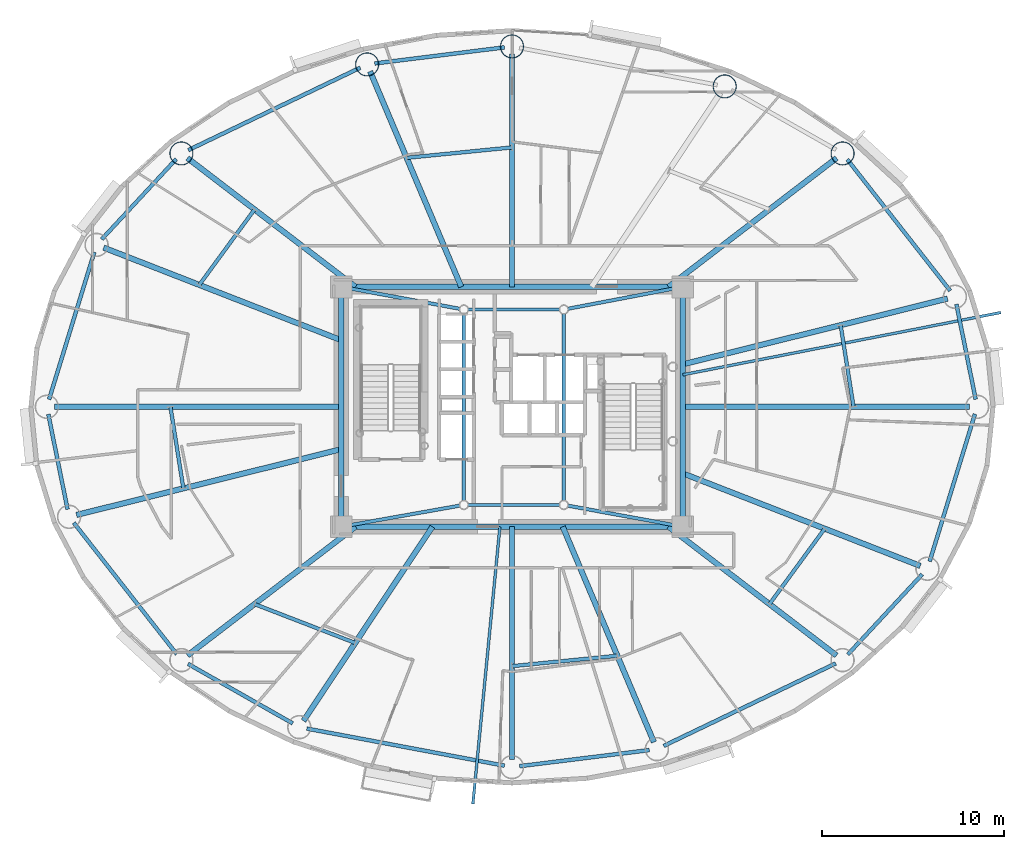
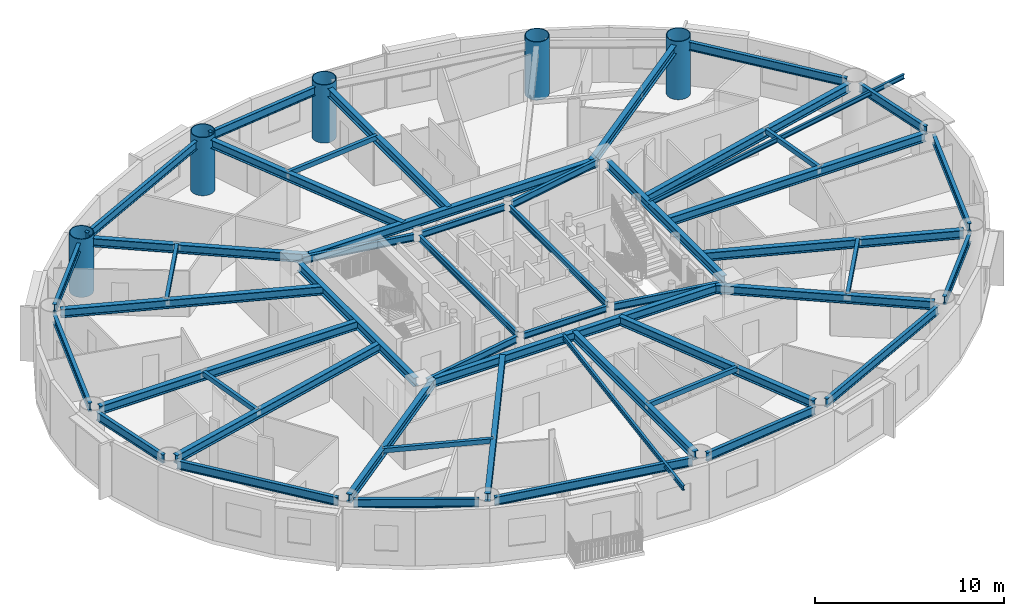
# One storey, part 3 of 19: 50 beams, 5 columns.
"""IFC4 building model written with IfcOpenShell, lengths in metres."""

from ifc_helpers import new_model, si_unit, direction, frame, origin, origin_2d, place, context, subcontext, project, spatial, hollow_rectangle, hollow_circle, i_section, extrude, material, material_profile, profile_set, type_object, element, save


model = new_model("IFC4")

# Units and contexts
model_context = context("Model", 3, precision=1e-05, world=origin(), true_north=direction((0.0, 1.0)))
body_context = subcontext(model_context, "Body", "Model", "MODEL_VIEW")
ifc_project = project(units=[si_unit("LENGTHUNIT", "METRE"), si_unit("AREAUNIT", "SQUARE_METRE"), si_unit("VOLUMEUNIT", "CUBIC_METRE"), si_unit("PLANEANGLEUNIT", "RADIAN"), si_unit("MASSUNIT", "GRAM", prefix="KILO")], contexts=[model_context])

# Site, building, storey
site_placement = place(None, origin())
site = spatial("IfcSite", under=ifc_project, at=site_placement, CompositionType="ELEMENT")
building_placement = place(site_placement, origin())
building = spatial("IfcBuilding", under=site, at=building_placement, Name="Linh Dai School and Residence Tower", CompositionType="ELEMENT")
storey_placement = place(building_placement, frame((0.0, 0.0, 174.89990234375)))
storey = spatial("IfcBuildingStorey", under=building, at=storey_placement, Name="L42", CompositionType="ELEMENT", Elevation=174.89990234375)

# Columns
ifc_material = material(Name="Structural Steel S355JR", Category="steel")
ifc_material_profile_1 = material_profile(ifc_material, hollow_circle(Radius=0.64990234375, WallThickness=0.0400390625, at=origin_2d()), Name="CHS 1300x40")
ifc_profile_set_1 = profile_set([ifc_material_profile_1], Name="Structural Steel S355JR")
column_type = type_object("IfcColumnType", Name="COL-MC4", PredefinedType="COLUMN", material=ifc_profile_set_1)
for number, where, z_axis, x_axis, name in (
    (1, (54.1923828125, 40.941650390625, 0.0), (0.0, 0.0, 1.0), (1.0, 0.0, 0.0), "L42 Perimeter CFT Mega-Column MC03"),
    (2, (47.70556640625, 44.630859375, 0.0), (0.0, 0.0, 1.0), (1.0, 0.0, 0.0), "L42 Perimeter CFT Mega-Column MC04"),
    (3, (36.0, 46.830078125, 0.0), (0.0, 0.0, 1.0), (1.0, 0.0, 0.0), "L42 Perimeter CFT Mega-Column MC05"),
    (4, (28.026611328125, 45.84130859375, 0.0), (0.0, 0.0, 1.0), (1.0, 0.0, 0.0), "L42 Perimeter CFT Mega-Column MC06"),
    (5, (17.8076171875, 40.941650390625, 0.0), (0.0, 0.0, 1.0), (1.0, 0.0, 0.0), "L42 Perimeter CFT Mega-Column MC07"),
):
    element("IfcColumn", number, at=place(storey_placement, frame(where, z_axis=z_axis, x_axis=x_axis)), inside=storey, type_object=column_type, Name=name, PredefinedType="COLUMN", context=body_context, shape_type="SweptSolid", body=[
        extrude(hollow_circle(Radius=0.64990234375, WallThickness=0.0400390625, at=origin_2d()), origin(), (0.0, 0.0, 1.0), 3.75),
    ])

# Beams
ifc_material_profile_2 = material_profile(ifc_material, i_section(OverallWidth=0.14990234375, OverallDepth=0.300048828125, WebThickness=0.007080078125, FlangeThickness=0.0107421875, at=origin_2d()), Name="IPE 300")
ifc_profile_set_2 = profile_set([ifc_material_profile_2], Name="Structural Steel S355JR")
beam_type_1 = type_object("IfcBeamType", Name="BM-BALC-CANT", PredefinedType="BEAM", material=ifc_profile_set_2)
beam_1_placement = place(storey_placement, frame((45.39990234375, 28.76220703125, 3.35009765625), z_axis=(0.981362291926, 0.192166729654, 0.0), x_axis=(-0.192166729654, 0.981362291926, 0.0)))
element("IfcBeam", 6, at=beam_1_placement, inside=storey, type_object=beam_type_1, Name="L43 Balcony Continuous Cantilever Beam 02", PredefinedType="BEAM", context=body_context, shape_type="SweptSolid", body=[
    extrude(i_section(OverallWidth=0.14990234375, OverallDepth=0.300048828125, WebThickness=0.007080078125, FlangeThickness=0.0107421875, at=origin_2d()), origin(), (0.0, 0.0, 1.0), 17.8271484375),
])
beam_2_placement = place(storey_placement, frame((35.335205078125, 20.39990234375, 3.35009765625), z_axis=(-0.096990319244, -0.995285324906, 0.0), x_axis=(0.995285324906, -0.096990319244, 0.0)))
element("IfcBeam", 7, at=beam_2_placement, inside=storey, type_object=beam_type_1, Name="L43 Balcony Continuous Cantilever Beam 30", PredefinedType="BEAM", context=body_context, shape_type="SweptSolid", body=[
    extrude(i_section(OverallWidth=0.14990234375, OverallDepth=0.300048828125, WebThickness=0.007080078125, FlangeThickness=0.0107421875, at=origin_2d()), origin(), (0.0, 0.0, 1.0), 15.33203125),
])
ifc_material_profile_3 = material_profile(ifc_material, hollow_rectangle(XDim=0.199951171875, YDim=0.300048828125, WallThickness=0.010009765625, at=origin_2d()), Name="RHS 300x200x10")
ifc_profile_set_3 = profile_set([ifc_material_profile_3], Name="Structural Steel S355JR")
beam_type_2 = type_object("IfcBeamType", Name="BM-BX3", PredefinedType="BEAM", material=ifc_profile_set_3)
beam_3_placement = place(storey_placement, frame((54.795166015625, 27.0048828125, 3.35009765625), z_axis=(-0.15630517468, 0.987708809502, 0.0), x_axis=(-0.987708809502, -0.15630517468, 0.0)))
element("IfcBeam", 8, at=beam_3_placement, inside=storey, type_object=beam_type_2, Name="L42 Secondary Circumferential Floor Beam 01", PredefinedType="BEAM", context=body_context, shape_type="SweptSolid", body=[
    extrude(hollow_rectangle(XDim=0.199951171875, YDim=0.300048828125, WallThickness=0.010009765625, at=origin_2d()), origin(), (0.0, 0.0, 1.0), 4.537353515625),
])
beam_4_placement = place(storey_placement, frame((35.9951171875, 41.27294921875, 3.35009765625), z_axis=(-0.995143022353, -0.098439651878, 0.0), x_axis=(0.098439651878, -0.995143022353, 0.0)))
element("IfcBeam", 9, at=beam_4_placement, inside=storey, type_object=beam_type_2, Name="L42 Secondary Circumferential Floor Beam 03", PredefinedType="BEAM", context=body_context, shape_type="SweptSolid", body=[
    extrude(hollow_rectangle(XDim=0.199951171875, YDim=0.300048828125, WallThickness=0.010009765625, at=origin_2d()), origin(), (0.0, 0.0, 1.0), 5.81591796875),
])
beam_5_placement = place(storey_placement, frame((21.828125, 37.854248046875, 3.35009765625), z_axis=(-0.59077809598, -0.806834085367, 0.0), x_axis=(0.806834085367, -0.59077809598, 0.0)))
element("IfcBeam", 10, at=beam_5_placement, inside=storey, type_object=beam_type_2, Name="L42 Secondary Circumferential Floor Beam 04", PredefinedType="BEAM", context=body_context, shape_type="SweptSolid", body=[
    extrude(hollow_rectangle(XDim=0.199951171875, YDim=0.300048828125, WallThickness=0.010009765625, at=origin_2d()), origin(), (0.0, 0.0, 1.0), 5.134765625),
])
beam_6_placement = place(storey_placement, frame((17.204833984375, 26.9951171875, 3.35009765625), z_axis=(0.15630517468, -0.987708809502, 0.0), x_axis=(0.987708809502, 0.15630517468, 0.0)))
element("IfcBeam", 11, at=beam_6_placement, inside=storey, type_object=beam_type_2, Name="L42 Secondary Circumferential Floor Beam 05", PredefinedType="BEAM", context=body_context, shape_type="SweptSolid", body=[
    extrude(hollow_rectangle(XDim=0.199951171875, YDim=0.300048828125, WallThickness=0.010009765625, at=origin_2d()), origin(), (0.0, 0.0, 1.0), 4.537353515625),
])
beam_7_placement = place(storey_placement, frame((21.8359375, 16.139892578125, 3.35009765625), z_axis=(0.932827710026, -0.360322721193, 0.0), x_axis=(0.360322721193, 0.932827710026, 0.0)))
element("IfcBeam", 12, at=beam_7_placement, inside=storey, type_object=beam_type_2, Name="L42 Secondary Circumferential Floor Beam 06", PredefinedType="BEAM", context=body_context, shape_type="SweptSolid", body=[
    extrude(hollow_rectangle(XDim=0.199951171875, YDim=0.300048828125, WallThickness=0.010009765625, at=origin_2d()), origin(), (0.0, 0.0, 1.0), 5.927978515625),
])
beam_8_placement = place(storey_placement, frame((36.0048828125, 12.72705078125, 3.35009765625), z_axis=(0.995143022353, 0.098439651878, 0.0), x_axis=(-0.098439651878, 0.995143022353, 0.0)))
element("IfcBeam", 13, at=beam_8_placement, inside=storey, type_object=beam_type_2, Name="L42 Secondary Circumferential Floor Beam 07", PredefinedType="BEAM", context=body_context, shape_type="SweptSolid", body=[
    extrude(hollow_rectangle(XDim=0.199951171875, YDim=0.300048828125, WallThickness=0.010009765625, at=origin_2d()), origin(), (0.0, 0.0, 1.0), 5.81591796875),
])
beam_9_placement = place(storey_placement, frame((50.171875, 16.145751953125, 3.35009765625), z_axis=(0.59077809598, 0.806834085367, 0.0), x_axis=(-0.806834085367, 0.59077809598, 0.0)))
element("IfcBeam", 14, at=beam_9_placement, inside=storey, type_object=beam_type_2, Name="L42 Secondary Circumferential Floor Beam 08", PredefinedType="BEAM", context=body_context, shape_type="SweptSolid", body=[
    extrude(hollow_rectangle(XDim=0.199951171875, YDim=0.300048828125, WallThickness=0.010009765625, at=origin_2d()), origin(), (0.0, 0.0, 1.0), 5.134765625),
])
ifc_material_profile_4 = material_profile(ifc_material, i_section(OverallWidth=0.2099609375, OverallDepth=0.550048828125, WebThickness=0.010986328125, FlangeThickness=0.01708984375, FilletRadius=0.02392578125, at=origin_2d()), Name="IPE 550")
ifc_profile_set_4 = profile_set([ifc_material_profile_4], Name="Structural Steel S355JR")
beam_type_3 = type_object("IfcBeamType", Name="BM-RB55", PredefinedType="BEAM", material=ifc_profile_set_4)
beam_10_placement = place(storey_placement, frame((61.5166015625, 27.41162109375, 3.22509765625), z_axis=(-0.198420723955, 0.980116940117, 0.0), x_axis=(-0.980116940117, -0.198420723955, 0.0)))
element("IfcBeam", 15, at=beam_10_placement, inside=storey, type_object=beam_type_3, Name="L42 Perimeter Elliptical Ring Beam 01", PredefinedType="BEAM", context=body_context, shape_type="SweptSolid", body=[
    extrude(i_section(OverallWidth=0.2099609375, OverallDepth=0.550048828125, WebThickness=0.010986328125, FlangeThickness=0.01708984375, FilletRadius=0.02392578125, at=origin_2d()), origin(), (0.0, 0.0, 1.0), 5.33642578125),
])
beam_11_placement = place(storey_placement, frame((60.115478515625, 33.38427734375, 3.22509765625), z_axis=(-0.616852281883, 0.787078942887, 0.0), x_axis=(-0.787078942887, -0.616852281883, 0.0)))
element("IfcBeam", 16, at=beam_11_placement, inside=storey, type_object=beam_type_3, Name="L42 Perimeter Elliptical Ring Beam 02", PredefinedType="BEAM", context=body_context, shape_type="SweptSolid", body=[
    extrude(i_section(OverallWidth=0.2099609375, OverallDepth=0.550048828125, WebThickness=0.010986328125, FlangeThickness=0.01708984375, FilletRadius=0.02392578125, at=origin_2d()), origin(), (0.0, 0.0, 1.0), 9.181884765625),
])
beam_12_placement = place(storey_placement, frame((35.583251953125, 46.7783203125, 3.22509765625), z_axis=(-0.992400597975, -0.123048986741, 0.0), x_axis=(0.123048986741, -0.992400597975, 0.0)))
element("IfcBeam", 17, at=beam_12_placement, inside=storey, type_object=beam_type_3, Name="L42 Perimeter Elliptical Ring Beam 05", PredefinedType="BEAM", context=body_context, shape_type="SweptSolid", body=[
    extrude(i_section(OverallWidth=0.2099609375, OverallDepth=0.550048828125, WebThickness=0.010986328125, FlangeThickness=0.01708984375, FilletRadius=0.02392578125, at=origin_2d()), origin(), (0.0, 0.0, 1.0), 7.1943359375),
])
beam_13_placement = place(storey_placement, frame((27.64794921875, 45.659912109375, 3.22509765625), z_axis=(-0.901708141823, -0.432345263614, 0.0), x_axis=(0.432345263614, -0.901708141823, 0.0)))
element("IfcBeam", 18, at=beam_13_placement, inside=storey, type_object=beam_type_3, Name="L42 Perimeter Elliptical Ring Beam 06", PredefinedType="BEAM", context=body_context, shape_type="SweptSolid", body=[
    extrude(i_section(OverallWidth=0.2099609375, OverallDepth=0.550048828125, WebThickness=0.010986328125, FlangeThickness=0.01708984375, FilletRadius=0.02392578125, at=origin_2d()), origin(), (0.0, 0.0, 1.0), 10.4931640625),
])
beam_14_placement = place(storey_placement, frame((17.521728515625, 40.6337890625, 3.22509765625), z_axis=(-0.680378035197, -0.732861330145, 0.0), x_axis=(0.732861330145, -0.680378035197, 0.0)))
element("IfcBeam", 19, at=beam_14_placement, inside=storey, type_object=beam_type_3, Name="L42 Perimeter Elliptical Ring Beam 07", PredefinedType="BEAM", context=body_context, shape_type="SweptSolid", body=[
    extrude(i_section(OverallWidth=0.2099609375, OverallDepth=0.550048828125, WebThickness=0.010986328125, FlangeThickness=0.01708984375, FilletRadius=0.02392578125, at=origin_2d()), origin(), (0.0, 0.0, 1.0), 6.024169921875),
])
beam_15_placement = place(storey_placement, frame((13.01416015625, 35.509765625, 3.22509765625), z_axis=(-0.29363681283, -0.955917058196, 0.0), x_axis=(0.955917058196, -0.29363681283, 0.0)))
element("IfcBeam", 20, at=beam_15_placement, inside=storey, type_object=beam_type_3, Name="L42 Perimeter Elliptical Ring Beam 08", PredefinedType="BEAM", context=body_context, shape_type="SweptSolid", body=[
    extrude(i_section(OverallWidth=0.2099609375, OverallDepth=0.550048828125, WebThickness=0.010986328125, FlangeThickness=0.01708984375, FilletRadius=0.02392578125, at=origin_2d()), origin(), (0.0, 0.0, 1.0), 8.482421875),
])
beam_16_placement = place(storey_placement, frame((10.4833984375, 26.58837890625, 3.22509765625), z_axis=(0.198420723955, -0.980116940117, 0.0), x_axis=(0.980116940117, 0.198420723955, 0.0)))
element("IfcBeam", 21, at=beam_16_placement, inside=storey, type_object=beam_type_3, Name="L42 Perimeter Elliptical Ring Beam 09", PredefinedType="BEAM", context=body_context, shape_type="SweptSolid", body=[
    extrude(i_section(OverallWidth=0.2099609375, OverallDepth=0.550048828125, WebThickness=0.010986328125, FlangeThickness=0.01708984375, FilletRadius=0.02392578125, at=origin_2d()), origin(), (0.0, 0.0, 1.0), 5.33642578125),
])
beam_17_placement = place(storey_placement, frame((11.884521484375, 20.61572265625, 3.22509765625), z_axis=(0.616852281883, -0.787078942887, 0.0), x_axis=(0.787078942887, 0.616852281883, 0.0)))
element("IfcBeam", 22, at=beam_17_placement, inside=storey, type_object=beam_type_3, Name="L42 Perimeter Elliptical Ring Beam 10", PredefinedType="BEAM", context=body_context, shape_type="SweptSolid", body=[
    extrude(i_section(OverallWidth=0.2099609375, OverallDepth=0.550048828125, WebThickness=0.010986328125, FlangeThickness=0.01708984375, FilletRadius=0.02392578125, at=origin_2d()), origin(), (0.0, 0.0, 1.0), 9.181884765625),
])
beam_18_placement = place(storey_placement, frame((18.172607421875, 12.8505859375, 3.22509765625), z_axis=(0.869262164011, -0.49435138335, 0.0), x_axis=(0.49435138335, 0.869262164011, 0.0)))
element("IfcBeam", 23, at=beam_18_placement, inside=storey, type_object=beam_type_3, Name="L42 Perimeter Elliptical Ring Beam 11", PredefinedType="BEAM", context=body_context, shape_type="SweptSolid", body=[
    extrude(i_section(OverallWidth=0.2099609375, OverallDepth=0.550048828125, WebThickness=0.010986328125, FlangeThickness=0.01708984375, FilletRadius=0.02392578125, at=origin_2d()), origin(), (0.0, 0.0, 1.0), 6.62255859375),
])
beam_19_placement = place(storey_placement, frame((24.707275390625, 9.29150390625, 3.22509765625), z_axis=(0.98280721278, -0.184634727255, 0.0), x_axis=(0.184634727255, 0.98280721278, 0.0)))
element("IfcBeam", 24, at=beam_19_placement, inside=storey, type_object=beam_type_3, Name="L42 Perimeter Elliptical Ring Beam 12", PredefinedType="BEAM", context=body_context, shape_type="SweptSolid", body=[
    extrude(i_section(OverallWidth=0.2099609375, OverallDepth=0.550048828125, WebThickness=0.010986328125, FlangeThickness=0.01708984375, FilletRadius=0.02392578125, at=origin_2d()), origin(), (0.0, 0.0, 1.0), 11.0703125),
])
beam_20_placement = place(storey_placement, frame((36.416748046875, 7.2216796875, 3.22509765625), z_axis=(0.992400597975, 0.123048986741, 0.0), x_axis=(-0.123048986741, 0.992400597975, 0.0)))
element("IfcBeam", 25, at=beam_20_placement, inside=storey, type_object=beam_type_3, Name="L42 Perimeter Elliptical Ring Beam 13", PredefinedType="BEAM", context=body_context, shape_type="SweptSolid", body=[
    extrude(i_section(OverallWidth=0.2099609375, OverallDepth=0.550048828125, WebThickness=0.010986328125, FlangeThickness=0.01708984375, FilletRadius=0.02392578125, at=origin_2d()), origin(), (0.0, 0.0, 1.0), 7.1943359375),
])
beam_21_placement = place(storey_placement, frame((44.35205078125, 8.340087890625, 3.22509765625), z_axis=(0.901708141823, 0.432345263614, 0.0), x_axis=(-0.432345263614, 0.901708141823, 0.0)))
element("IfcBeam", 26, at=beam_21_placement, inside=storey, type_object=beam_type_3, Name="L42 Perimeter Elliptical Ring Beam 14", PredefinedType="BEAM", context=body_context, shape_type="SweptSolid", body=[
    extrude(i_section(OverallWidth=0.2099609375, OverallDepth=0.550048828125, WebThickness=0.010986328125, FlangeThickness=0.01708984375, FilletRadius=0.02392578125, at=origin_2d()), origin(), (0.0, 0.0, 1.0), 10.4931640625),
])
beam_22_placement = place(storey_placement, frame((54.478271484375, 13.3662109375, 3.22509765625), z_axis=(0.680378035197, 0.732861330145, 0.0), x_axis=(-0.732861330145, 0.680378035197, 0.0)))
element("IfcBeam", 27, at=beam_22_placement, inside=storey, type_object=beam_type_3, Name="L42 Perimeter Elliptical Ring Beam 15", PredefinedType="BEAM", context=body_context, shape_type="SweptSolid", body=[
    extrude(i_section(OverallWidth=0.2099609375, OverallDepth=0.550048828125, WebThickness=0.010986328125, FlangeThickness=0.01708984375, FilletRadius=0.02392578125, at=origin_2d()), origin(), (0.0, 0.0, 1.0), 6.024169921875),
])
beam_23_placement = place(storey_placement, frame((58.98583984375, 18.490234375, 3.22509765625), z_axis=(0.29363681283, 0.955917058196, 0.0), x_axis=(-0.955917058196, 0.29363681283, 0.0)))
element("IfcBeam", 28, at=beam_23_placement, inside=storey, type_object=beam_type_3, Name="L42 Perimeter Elliptical Ring Beam 16", PredefinedType="BEAM", context=body_context, shape_type="SweptSolid", body=[
    extrude(i_section(OverallWidth=0.2099609375, OverallDepth=0.550048828125, WebThickness=0.010986328125, FlangeThickness=0.01708984375, FilletRadius=0.02392578125, at=origin_2d()), origin(), (0.0, 0.0, 1.0), 8.482421875),
])
ifc_material_profile_5 = material_profile(ifc_material, i_section(OverallWidth=0.300048828125, OverallDepth=0.550048828125, WebThickness=0.014892578125, FlangeThickness=0.029052734375, FilletRadius=0.027099609375, at=origin_2d()), Name="HEB 550")
ifc_profile_set_5 = profile_set([ifc_material_profile_5], Name="Structural Steel S355JR")
beam_type_4 = type_object("IfcBeamType", Name="BM-RG55", PredefinedType="BEAM", material=ifc_profile_set_5)
beam_24_placement = place(storey_placement, frame((27.02001953125, 20.39990234375, 3.22509765625), z_axis=(1.0, 0.0, 0.0), x_axis=(0.0, 1.0, 0.0)))
element("IfcBeam", 29, at=beam_24_placement, inside=storey, type_object=beam_type_4, Name="L42 Core Perimeter Coupling Girder 1", PredefinedType="BEAM", context=body_context, shape_type="SweptSolid", body=[
    extrude(i_section(OverallWidth=0.300048828125, OverallDepth=0.550048828125, WebThickness=0.014892578125, FlangeThickness=0.029052734375, FilletRadius=0.027099609375, at=origin_2d()), origin(), (0.0, 0.0, 1.0), 17.9599609375),
])
beam_25_placement = place(storey_placement, frame((45.39990234375, 20.820068359375, 3.22509765625), z_axis=(0.0, 1.0, 0.0), x_axis=(-1.0, 0.0, 0.0)))
element("IfcBeam", 30, at=beam_25_placement, inside=storey, type_object=beam_type_4, Name="L42 Core Perimeter Coupling Girder 2", PredefinedType="BEAM", context=body_context, shape_type="SweptSolid", body=[
    extrude(i_section(OverallWidth=0.300048828125, OverallDepth=0.550048828125, WebThickness=0.014892578125, FlangeThickness=0.029052734375, FilletRadius=0.027099609375, at=origin_2d()), origin(), (0.0, 0.0, 1.0), 12.35986328125),
])
beam_26_placement = place(storey_placement, frame((44.97998046875, 33.60009765625, 3.22509765625), z_axis=(-1.0, 0.0, 0.0), x_axis=(0.0, -1.0, 0.0)))
element("IfcBeam", 31, at=beam_26_placement, inside=storey, type_object=beam_type_4, Name="L42 Core Perimeter Coupling Girder 3", PredefinedType="BEAM", context=body_context, shape_type="SweptSolid", body=[
    extrude(i_section(OverallWidth=0.300048828125, OverallDepth=0.550048828125, WebThickness=0.014892578125, FlangeThickness=0.029052734375, FilletRadius=0.027099609375, at=origin_2d()), origin(), (0.0, 0.0, 1.0), 17.9599609375),
])
beam_27_placement = place(storey_placement, frame((26.60009765625, 33.179931640625, 3.22509765625), z_axis=(0.0, -1.0, 0.0), x_axis=(1.0, 0.0, 0.0)))
element("IfcBeam", 32, at=beam_27_placement, inside=storey, type_object=beam_type_4, Name="L42 Core Perimeter Coupling Girder 4", PredefinedType="BEAM", context=body_context, shape_type="SweptSolid", body=[
    extrude(i_section(OverallWidth=0.300048828125, OverallDepth=0.550048828125, WebThickness=0.014892578125, FlangeThickness=0.029052734375, FilletRadius=0.027099609375, at=origin_2d()), origin(), (0.0, 0.0, 1.0), 12.35986328125),
])
beam_28_placement = place(storey_placement, frame((45.39990234375, 27.0, 3.22509765625), z_axis=(1.0, 0.0, 0.0), x_axis=(0.0, 1.0, 0.0)))
element("IfcBeam", 33, at=beam_28_placement, inside=storey, type_object=beam_type_4, Name="L42 Primary Radial Floor Girder 01", PredefinedType="BEAM", context=body_context, shape_type="SweptSolid", body=[
    extrude(i_section(OverallWidth=0.300048828125, OverallDepth=0.550048828125, WebThickness=0.014892578125, FlangeThickness=0.029052734375, FilletRadius=0.027099609375, at=origin_2d()), origin(), (0.0, 0.0, 1.0), 15.780029296875),
])
beam_29_placement = place(storey_placement, frame((45.39990234375, 29.33447265625, 3.22509765625), z_axis=(0.970514508209, 0.24104271272, 0.0), x_axis=(-0.24104271272, 0.970514508209, 0.0)))
element("IfcBeam", 34, at=beam_29_placement, inside=storey, type_object=beam_type_4, Name="L42 Primary Radial Floor Girder 02", PredefinedType="BEAM", context=body_context, shape_type="SweptSolid", body=[
    extrude(i_section(OverallWidth=0.300048828125, OverallDepth=0.550048828125, WebThickness=0.014892578125, FlangeThickness=0.029052734375, FilletRadius=0.027099609375, at=origin_2d()), origin(), (0.0, 0.0, 1.0), 15.009521484375),
])
beam_30_placement = place(storey_placement, frame((44.6123046875, 33.60009765625, 3.22509765625), z_axis=(0.793732831925, 0.608266546445, 0.0), x_axis=(-0.608266546445, 0.793732831925, 0.0)))
element("IfcBeam", 35, at=beam_30_placement, inside=storey, type_object=beam_type_4, Name="L42 Primary Radial Floor Girder 03", PredefinedType="BEAM", context=body_context, shape_type="SweptSolid", body=[
    extrude(i_section(OverallWidth=0.300048828125, OverallDepth=0.550048828125, WebThickness=0.014892578125, FlangeThickness=0.029052734375, FilletRadius=0.027099609375, at=origin_2d()), origin(), (0.0, 0.0, 1.0), 11.64990234375),
])
beam_31_placement = place(storey_placement, frame((36.0, 33.60009765625, 3.22509765625), z_axis=(0.0, 1.0, 0.0), x_axis=(-1.0, 0.0, 0.0)))
element("IfcBeam", 36, at=beam_31_placement, inside=storey, type_object=beam_type_4, Name="L42 Primary Radial Floor Girder 05", PredefinedType="BEAM", context=body_context, shape_type="SweptSolid", body=[
    extrude(i_section(OverallWidth=0.300048828125, OverallDepth=0.550048828125, WebThickness=0.014892578125, FlangeThickness=0.029052734375, FilletRadius=0.027099609375, at=origin_2d()), origin(), (0.0, 0.0, 1.0), 12.809814453125),
])
beam_32_placement = place(storey_placement, frame((33.20703125, 33.60009765625, 3.22509765625), z_axis=(-0.389721661447, 0.920932693849, 0.0), x_axis=(-0.920932693849, -0.389721661447, 0.0)))
element("IfcBeam", 37, at=beam_32_placement, inside=storey, type_object=beam_type_4, Name="L42 Primary Radial Floor Girder 06", PredefinedType="BEAM", context=body_context, shape_type="SweptSolid", body=[
    extrude(i_section(OverallWidth=0.300048828125, OverallDepth=0.550048828125, WebThickness=0.014892578125, FlangeThickness=0.029052734375, FilletRadius=0.027099609375, at=origin_2d()), origin(), (0.0, 0.0, 1.0), 12.872314453125),
])
beam_33_placement = place(storey_placement, frame((27.3876953125, 33.60009765625, 3.22509765625), z_axis=(-0.793732831925, 0.608266546445, 0.0), x_axis=(-0.608266546445, -0.793732831925, 0.0)))
element("IfcBeam", 38, at=beam_33_placement, inside=storey, type_object=beam_type_4, Name="L42 Primary Radial Floor Girder 07", PredefinedType="BEAM", context=body_context, shape_type="SweptSolid", body=[
    extrude(i_section(OverallWidth=0.300048828125, OverallDepth=0.550048828125, WebThickness=0.014892578125, FlangeThickness=0.029052734375, FilletRadius=0.027099609375, at=origin_2d()), origin(), (0.0, 0.0, 1.0), 11.64990234375),
])
beam_34_placement = place(storey_placement, frame((26.60009765625, 30.663818359375, 3.22509765625), z_axis=(-0.931722873254, 0.363170053081, 0.0), x_axis=(-0.363170053081, -0.931722873254, 0.0)))
element("IfcBeam", 39, at=beam_34_placement, inside=storey, type_object=beam_type_4, Name="L42 Primary Radial Floor Girder 08", PredefinedType="BEAM", context=body_context, shape_type="SweptSolid", body=[
    extrude(i_section(OverallWidth=0.300048828125, OverallDepth=0.550048828125, WebThickness=0.014892578125, FlangeThickness=0.029052734375, FilletRadius=0.027099609375, at=origin_2d()), origin(), (0.0, 0.0, 1.0), 14.029052734375),
])
beam_35_placement = place(storey_placement, frame((26.60009765625, 27.0, 3.22509765625), z_axis=(-1.0, 0.0, 0.0), x_axis=(0.0, -1.0, 0.0)))
element("IfcBeam", 40, at=beam_35_placement, inside=storey, type_object=beam_type_4, Name="L42 Primary Radial Floor Girder 09", PredefinedType="BEAM", context=body_context, shape_type="SweptSolid", body=[
    extrude(i_section(OverallWidth=0.300048828125, OverallDepth=0.550048828125, WebThickness=0.014892578125, FlangeThickness=0.029052734375, FilletRadius=0.027099609375, at=origin_2d()), origin(), (0.0, 0.0, 1.0), 15.780029296875),
])
beam_36_placement = place(storey_placement, frame((26.60009765625, 24.66552734375, 3.22509765625), z_axis=(-0.970514508209, -0.24104271272, 0.0), x_axis=(0.24104271272, -0.970514508209, 0.0)))
element("IfcBeam", 41, at=beam_36_placement, inside=storey, type_object=beam_type_4, Name="L42 Primary Radial Floor Girder 10", PredefinedType="BEAM", context=body_context, shape_type="SweptSolid", body=[
    extrude(i_section(OverallWidth=0.300048828125, OverallDepth=0.550048828125, WebThickness=0.014892578125, FlangeThickness=0.029052734375, FilletRadius=0.027099609375, at=origin_2d()), origin(), (0.0, 0.0, 1.0), 15.009521484375),
])
beam_37_placement = place(storey_placement, frame((27.3876953125, 20.39990234375, 3.22509765625), z_axis=(-0.793732831925, -0.608266546445, 0.0), x_axis=(0.608266546445, -0.793732831925, 0.0)))
element("IfcBeam", 42, at=beam_37_placement, inside=storey, type_object=beam_type_4, Name="L42 Primary Radial Floor Girder 11", PredefinedType="BEAM", context=body_context, shape_type="SweptSolid", body=[
    extrude(i_section(OverallWidth=0.300048828125, OverallDepth=0.550048828125, WebThickness=0.014892578125, FlangeThickness=0.029052734375, FilletRadius=0.027099609375, at=origin_2d()), origin(), (0.0, 0.0, 1.0), 11.64990234375),
])
beam_38_placement = place(storey_placement, frame((31.6181640625, 20.39990234375, 3.22509765625), z_axis=(-0.553117176317, -0.833103468522, 0.0), x_axis=(0.833103468522, -0.553117176317, 0.0)))
element("IfcBeam", 43, at=beam_38_placement, inside=storey, type_object=beam_type_4, Name="L42 Primary Radial Floor Girder 12", PredefinedType="BEAM", context=body_context, shape_type="SweptSolid", body=[
    extrude(i_section(OverallWidth=0.300048828125, OverallDepth=0.550048828125, WebThickness=0.014892578125, FlangeThickness=0.029052734375, FilletRadius=0.027099609375, at=origin_2d()), origin(), (0.0, 0.0, 1.0), 12.820556640625),
])
beam_39_placement = place(storey_placement, frame((36.0, 20.39990234375, 3.22509765625), z_axis=(0.0, -1.0, 0.0), x_axis=(1.0, 0.0, 0.0)))
element("IfcBeam", 44, at=beam_39_placement, inside=storey, type_object=beam_type_4, Name="L42 Primary Radial Floor Girder 13", PredefinedType="BEAM", context=body_context, shape_type="SweptSolid", body=[
    extrude(i_section(OverallWidth=0.300048828125, OverallDepth=0.550048828125, WebThickness=0.014892578125, FlangeThickness=0.029052734375, FilletRadius=0.027099609375, at=origin_2d()), origin(), (0.0, 0.0, 1.0), 12.809814453125),
])
beam_40_placement = place(storey_placement, frame((38.79296875, 20.39990234375, 3.22509765625), z_axis=(0.389721661447, -0.920932693849, 0.0), x_axis=(0.920932693849, 0.389721661447, 0.0)))
element("IfcBeam", 45, at=beam_40_placement, inside=storey, type_object=beam_type_4, Name="L42 Primary Radial Floor Girder 14", PredefinedType="BEAM", context=body_context, shape_type="SweptSolid", body=[
    extrude(i_section(OverallWidth=0.300048828125, OverallDepth=0.550048828125, WebThickness=0.014892578125, FlangeThickness=0.029052734375, FilletRadius=0.027099609375, at=origin_2d()), origin(), (0.0, 0.0, 1.0), 12.872314453125),
])
beam_41_placement = place(storey_placement, frame((44.6123046875, 20.39990234375, 3.22509765625), z_axis=(0.793732831925, -0.608266546445, 0.0), x_axis=(0.608266546445, 0.793732831925, 0.0)))
element("IfcBeam", 46, at=beam_41_placement, inside=storey, type_object=beam_type_4, Name="L42 Primary Radial Floor Girder 15", PredefinedType="BEAM", context=body_context, shape_type="SweptSolid", body=[
    extrude(i_section(OverallWidth=0.300048828125, OverallDepth=0.550048828125, WebThickness=0.014892578125, FlangeThickness=0.029052734375, FilletRadius=0.027099609375, at=origin_2d()), origin(), (0.0, 0.0, 1.0), 11.64990234375),
])
beam_42_placement = place(storey_placement, frame((45.39990234375, 23.336181640625, 3.22509765625), z_axis=(0.931722873254, -0.363170053081, 0.0), x_axis=(0.363170053081, 0.931722873254, 0.0)))
element("IfcBeam", 47, at=beam_42_placement, inside=storey, type_object=beam_type_4, Name="L42 Primary Radial Floor Girder 16", PredefinedType="BEAM", context=body_context, shape_type="SweptSolid", body=[
    extrude(i_section(OverallWidth=0.300048828125, OverallDepth=0.550048828125, WebThickness=0.014892578125, FlangeThickness=0.029052734375, FilletRadius=0.027099609375, at=origin_2d()), origin(), (0.0, 0.0, 1.0), 14.029052734375),
])
ifc_material_profile_6 = material_profile(ifc_material, i_section(OverallWidth=0.179931640625, OverallDepth=0.39990234375, WebThickness=0.008544921875, FlangeThickness=0.013427734375, FilletRadius=0.02099609375, at=origin_2d()), Name="IPE 400")
ifc_profile_set_6 = profile_set([ifc_material_profile_6], Name="Structural Steel S355JR")
beam_type_5 = type_object("IfcBeamType", Name="BM-SB40", PredefinedType="BEAM", material=ifc_profile_set_6)
beam_43_placement = place(storey_placement, frame((33.573974609375, 21.60009765625, 3.300048828125), z_axis=(1.0, 0.0, 0.0), x_axis=(0.0, 1.0, 0.0)))
element("IfcBeam", 48, at=beam_43_placement, inside=storey, type_object=beam_type_5, Name="L42 Core Mast Pier Tie Beam 1", PredefinedType="BEAM", context=body_context, shape_type="SweptSolid", body=[
    extrude(i_section(OverallWidth=0.179931640625, OverallDepth=0.39990234375, WebThickness=0.008544921875, FlangeThickness=0.013427734375, FilletRadius=0.02099609375, at=origin_2d()), origin(), (0.0, 0.0, 1.0), 5.052001953125),
])
beam_44_placement = place(storey_placement, frame((38.85009765625, 21.823974609375, 3.300048828125), z_axis=(0.0, 1.0, 0.0), x_axis=(-1.0, 0.0, 0.0)))
element("IfcBeam", 49, at=beam_44_placement, inside=storey, type_object=beam_type_5, Name="L42 Core Mast Pier Tie Beam 2", PredefinedType="BEAM", context=body_context, shape_type="SweptSolid", body=[
    extrude(i_section(OverallWidth=0.179931640625, OverallDepth=0.39990234375, WebThickness=0.008544921875, FlangeThickness=0.013427734375, FilletRadius=0.02099609375, at=origin_2d()), origin(), (0.0, 0.0, 1.0), 10.302001953125),
])
beam_45_placement = place(storey_placement, frame((38.6259765625, 32.35009765625, 3.300048828125), z_axis=(-1.0, 0.0, 0.0), x_axis=(0.0, -1.0, 0.0)))
element("IfcBeam", 50, at=beam_45_placement, inside=storey, type_object=beam_type_5, Name="L42 Core Mast Pier Tie Beam 3", PredefinedType="BEAM", context=body_context, shape_type="SweptSolid", body=[
    extrude(i_section(OverallWidth=0.179931640625, OverallDepth=0.39990234375, WebThickness=0.008544921875, FlangeThickness=0.013427734375, FilletRadius=0.02099609375, at=origin_2d()), origin(), (0.0, 0.0, 1.0), 5.052001953125),
])
beam_46_placement = place(storey_placement, frame((33.35009765625, 32.1259765625, 3.300048828125), z_axis=(0.0, -1.0, 0.0), x_axis=(1.0, 0.0, 0.0)))
element("IfcBeam", 51, at=beam_46_placement, inside=storey, type_object=beam_type_5, Name="L42 Core Mast Pier Tie Beam 4", PredefinedType="BEAM", context=body_context, shape_type="SweptSolid", body=[
    extrude(i_section(OverallWidth=0.179931640625, OverallDepth=0.39990234375, WebThickness=0.008544921875, FlangeThickness=0.013427734375, FilletRadius=0.02099609375, at=origin_2d()), origin(), (0.0, 0.0, 1.0), 10.302001953125),
])
ifc_material_profile_7 = material_profile(ifc_material, i_section(OverallWidth=0.18994140625, OverallDepth=0.449951171875, WebThickness=0.009521484375, FlangeThickness=0.0146484375, FilletRadius=0.02099609375, at=origin_2d()), Name="IPE 450")
ifc_profile_set_7 = profile_set([ifc_material_profile_7], Name="Structural Steel S355JR")
beam_type_6 = type_object("IfcBeamType", Name="BM-SB45", PredefinedType="BEAM", material=ifc_profile_set_7)
beam_47_placement = place(storey_placement, frame((27.013427734375, 20.4736328125, 3.275146484375), z_axis=(0.984565969371, 0.175013862185, 0.0), x_axis=(-0.175013862185, 0.984565969371, 0.0)))
element("IfcBeam", 52, at=beam_47_placement, inside=storey, type_object=beam_type_6, Name="L42 Core Corner-to-Mast Pier Beam 1", PredefinedType="BEAM", context=body_context, shape_type="SweptSolid", body=[
    extrude(i_section(OverallWidth=0.18994140625, OverallDepth=0.449951171875, WebThickness=0.009521484375, FlangeThickness=0.0146484375, FilletRadius=0.02099609375, at=origin_2d()), origin(), (0.0, 0.0, 1.0), 6.2119140625),
])
beam_48_placement = place(storey_placement, frame((44.98681640625, 20.4755859375, 3.275146484375), z_axis=(-0.983627428732, 0.180213987933, 0.0), x_axis=(-0.180213987933, -0.983627428732, 0.0)))
element("IfcBeam", 53, at=beam_48_placement, inside=storey, type_object=beam_type_6, Name="L42 Core Corner-to-Mast Pier Beam 2", PredefinedType="BEAM", context=body_context, shape_type="SweptSolid", body=[
    extrude(i_section(OverallWidth=0.18994140625, OverallDepth=0.449951171875, WebThickness=0.009521484375, FlangeThickness=0.0146484375, FilletRadius=0.02099609375, at=origin_2d()), origin(), (0.0, 0.0, 1.0), 6.014892578125),
])
beam_49_placement = place(storey_placement, frame((44.987548828125, 33.521240234375, 3.275146484375), z_axis=(-0.982277147686, -0.187434268836, 0.0), x_axis=(0.187434268836, -0.982277147686, 0.0)))
element("IfcBeam", 54, at=beam_49_placement, inside=storey, type_object=beam_type_6, Name="L42 Core Corner-to-Mast Pier Beam 3", PredefinedType="BEAM", context=body_context, shape_type="SweptSolid", body=[
    extrude(i_section(OverallWidth=0.18994140625, OverallDepth=0.449951171875, WebThickness=0.009521484375, FlangeThickness=0.0146484375, FilletRadius=0.02099609375, at=origin_2d()), origin(), (0.0, 0.0, 1.0), 6.024169921875),
])
beam_50_placement = place(storey_placement, frame((27.012939453125, 33.5234375, 3.275146484375), z_axis=(0.983286429055, -0.182065368579, 0.0), x_axis=(0.182065368579, 0.983286429055, 0.0)))
element("IfcBeam", 55, at=beam_50_placement, inside=storey, type_object=beam_type_6, Name="L42 Core Corner-to-Mast Pier Beam 4", PredefinedType="BEAM", context=body_context, shape_type="SweptSolid", body=[
    extrude(i_section(OverallWidth=0.18994140625, OverallDepth=0.449951171875, WebThickness=0.009521484375, FlangeThickness=0.0146484375, FilletRadius=0.02099609375, at=origin_2d()), origin(), (0.0, 0.0, 1.0), 6.220703125),
])

save(model, "model.ifc")
